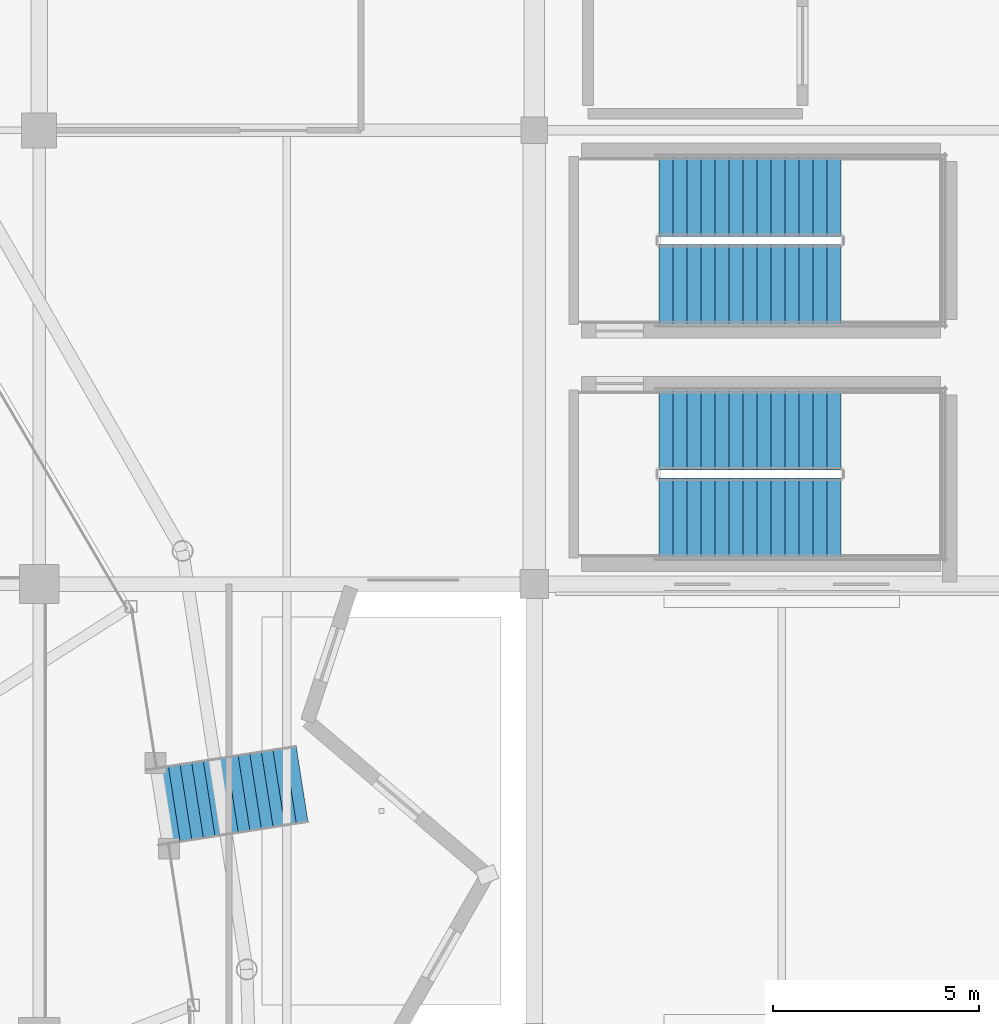
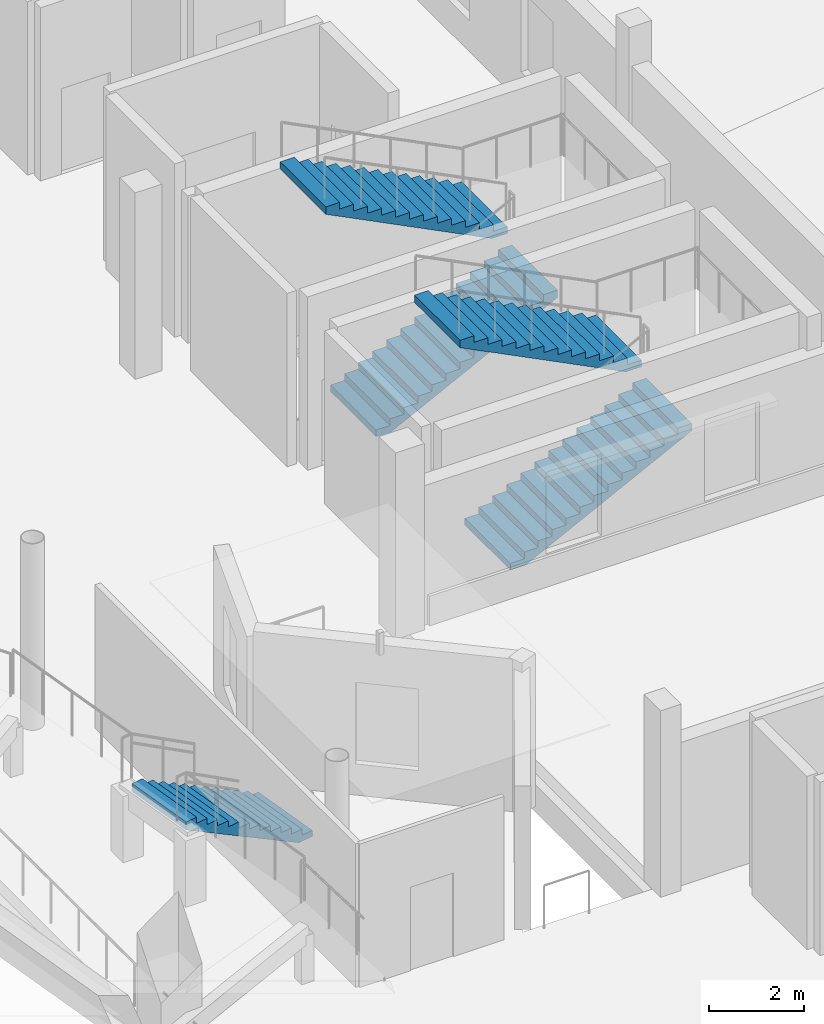
# One storey, part 61 of 77: 5 stair flights, 3 elements without a shape of their own.
"""IFC4 building model written with IfcOpenShell, lengths in metres."""

from ifc_helpers import new_model, si_unit, direction, frame, origin, place, context, subcontext, project, spatial, polyline, outline, extrude, material, layer, layer_set, type_object, element, aggregate, save


model = new_model("IFC4")

# Units and contexts
model_context = context("Model", 3, precision=1e-05, world=origin(), true_north=direction((0.0, 1.0)))
body_context = subcontext(model_context, "Body", "Model", "MODEL_VIEW")
ifc_project = project(units=[si_unit("LENGTHUNIT", "METRE"), si_unit("AREAUNIT", "SQUARE_METRE"), si_unit("VOLUMEUNIT", "CUBIC_METRE"), si_unit("PLANEANGLEUNIT", "RADIAN"), si_unit("MASSUNIT", "GRAM", prefix="KILO")], contexts=[model_context])

# Site, building, storey
site_placement = place(None, origin())
site = spatial("IfcSite", under=ifc_project, at=site_placement, CompositionType="ELEMENT")
building_placement = place(site_placement, origin())
building = spatial("IfcBuilding", under=site, at=building_placement, Name="Luwafu Chhajja Arena", CompositionType="ELEMENT")
storey_placement = place(building_placement, frame((0.0, 0.0, 14.699951171875)))
storey = spatial("IfcBuildingStorey", under=building, at=storey_placement, Name="L03", CompositionType="ELEMENT", Elevation=14.699951171875)

# Stair, stair flight
ifc_material_1 = material(Name="Precast concrete C40/50", Category="concrete")
stair_type_1 = type_object("IfcStairType", Name="Bowl Upper Vomitory Straight Stair 1820", PredefinedType="STRAIGHT_RUN_STAIR", material=ifc_material_1)
stair_1_placement = place(storey_placement, origin())
stair_1 = element("IfcStair", 1, at=stair_1_placement, inside=storey, type_object=stair_type_1, Name="L03 Bowl Vomitory Stair VM-09", PredefinedType="STRAIGHT_RUN_STAIR")
ifc_layer_1 = layer(ifc_material_1, 0.179931640625, Name="Precast concrete C40/50")
ifc_layer_set_1 = layer_set([ifc_layer_1], Name="Precast concrete C40/50")
stair_flight_type_1 = type_object("IfcStairFlightType", Name="Precast Vomitory Stair Flight 1820", PredefinedType="STRAIGHT", material=ifc_layer_set_1)
stair_flight_1_placement = place(storey_placement, frame((146.372314453125, 72.157470703125, 0.0), z_axis=(0.0, 0.0, 1.0), x_axis=(-0.987972013648, -0.154632791636, 0.0)))
stair_flight_1 = element("IfcStairFlight", 2, at=stair_flight_1_placement, type_object=stair_flight_type_1, Name="L03 Vomitory VM-09 StairFlight", NumberOfRisers=13, NumberOfTreads=12, PredefinedType="STRAIGHT", RiserHeight=0.156153846, TreadLength=0.285, context=body_context, shape_type="SweptSolid", body=[
    extrude(outline(polyline([(0.0, 0.0), (0.0, 0.15625), (0.284912109375, 0.15625), (0.284912109375, 0.312255859375), (0.570068359375, 0.312255859375), (0.570068359375, 0.468505859375), (0.85498046875, 0.468505859375), (0.85498046875, 0.62451171875), (1.139892578125, 0.62451171875), (1.139892578125, 0.78076171875), (1.425048828125, 0.78076171875), (1.425048828125, 0.93701171875), (1.7099609375, 0.93701171875), (1.7099609375, 1.093017578125), (1.9951171875, 1.093017578125), (1.9951171875, 1.249267578125), (2.280029296875, 1.249267578125), (2.280029296875, 1.4052734375), (2.56494140625, 1.4052734375), (2.56494140625, 1.5615234375), (2.85009765625, 1.5615234375), (2.85009765625, 1.7177734375), (3.135009765625, 1.7177734375), (3.135009765625, 1.873779296875), (3.419921875, 1.873779296875), (3.419921875, 2.030029296875), (3.419921875, 1.668701171875), (0.37451171875, 0.0), (0.0, 0.0)])), frame((0.0, 0.91015625, 0.0), z_axis=(0.0, -1.0, 0.0), x_axis=(1.0, 0.0, 0.0)), (0.0, 0.0, 1.0), 1.820068359375),
])
aggregate(stair_1, [stair_flight_1])

# Stair, stair flights
ifc_material_2 = material(Name="Concrete C35/45", Category="concrete")
stair_type_2 = type_object("IfcStairType", Name="Quadrant Protected Dog-Leg Stair 1920", PredefinedType="HALF_TURN_STAIR", material=ifc_material_2)
stair_2_placement = place(storey_placement, origin())
stair_2 = element("IfcStair", 3, at=stair_2_placement, inside=storey, type_object=stair_type_2, Name="L03 Protected Escape Stair ST-07", PredefinedType="HALF_TURN_STAIR")
ifc_layer_2 = layer(ifc_material_2, 0.169921875, Name="Concrete C35/45")
ifc_layer_set_2 = layer_set([ifc_layer_2], Name="Concrete C35/45")
stair_flight_type_2 = type_object("IfcStairFlightType", Name="RC Escape Stair Flight 1920", PredefinedType="STRAIGHT", material=ifc_layer_set_2)
stair_flight_2_placement = place(storey_placement, frame((155.02001953125, 78.610107421875, 0.0), z_axis=(0.0, 0.0, 1.0), x_axis=(1.0, 0.0, 0.0)))
stair_flight_2 = element("IfcStairFlight", 4, at=stair_flight_2_placement, type_object=stair_flight_type_2, Name="ST-07 flight 1", NumberOfRisers=14, NumberOfTreads=13, PredefinedType="STRAIGHT", RiserHeight=0.171428571, TreadLength=0.34, context=body_context, shape_type="SweptSolid", body=[
    extrude(outline(polyline([(0.0, 0.0), (0.0, 0.17138671875), (0.340087890625, 0.17138671875), (0.340087890625, 0.3427734375), (0.679931640625, 0.3427734375), (0.679931640625, 0.514404296875), (1.02001953125, 0.514404296875), (1.02001953125, 0.685791015625), (1.360107421875, 0.685791015625), (1.360107421875, 0.857177734375), (1.699951171875, 0.857177734375), (1.699951171875, 1.028564453125), (2.0400390625, 1.028564453125), (2.0400390625, 1.199951171875), (2.3798828125, 1.199951171875), (2.3798828125, 1.371337890625), (2.719970703125, 1.371337890625), (2.719970703125, 1.54296875), (3.06005859375, 1.54296875), (3.06005859375, 1.71435546875), (3.39990234375, 1.71435546875), (3.39990234375, 1.8857421875), (3.739990234375, 1.8857421875), (3.739990234375, 2.05712890625), (4.080078125, 2.05712890625), (4.080078125, 2.228515625), (4.419921875, 2.228515625), (4.419921875, 2.39990234375), (4.419921875, 2.038330078125), (0.37744140625, 0.0), (0.0, 0.0)])), frame((0.0, 0.9599609375, 0.0), z_axis=(0.0, -1.0, 0.0), x_axis=(1.0, 0.0, 0.0)), (0.0, 0.0, 1.0), 1.919921875),
])
stair_flight_3_placement = place(storey_placement, frame((159.43994140625, 80.72998046875, 2.400146484375), z_axis=(0.0, 0.0, 1.0), x_axis=(-1.0, 0.0, 0.0)))
stair_flight_3 = element("IfcStairFlight", 5, at=stair_flight_3_placement, type_object=stair_flight_type_2, Name="ST-07 flight 2", NumberOfRisers=14, NumberOfTreads=13, PredefinedType="STRAIGHT", RiserHeight=0.171428571, TreadLength=0.34, context=body_context, shape_type="SweptSolid", body=[
    extrude(outline(polyline([(0.0, 0.0), (0.0, 0.17138671875), (0.340087890625, 0.17138671875), (0.340087890625, 0.3427734375), (0.679931640625, 0.3427734375), (0.679931640625, 0.514404296875), (1.02001953125, 0.514404296875), (1.02001953125, 0.685791015625), (1.360107421875, 0.685791015625), (1.360107421875, 0.857177734375), (1.699951171875, 0.857177734375), (1.699951171875, 1.028564453125), (2.0400390625, 1.028564453125), (2.0400390625, 1.199951171875), (2.3798828125, 1.199951171875), (2.3798828125, 1.371337890625), (2.719970703125, 1.371337890625), (2.719970703125, 1.54296875), (3.06005859375, 1.54296875), (3.06005859375, 1.71435546875), (3.39990234375, 1.71435546875), (3.39990234375, 1.8857421875), (3.739990234375, 1.8857421875), (3.739990234375, 2.05712890625), (4.080078125, 2.05712890625), (4.080078125, 2.228515625), (4.419921875, 2.228515625), (4.419921875, 2.39990234375), (4.419921875, 2.038330078125), (0.37744140625, 0.0), (0.0, 0.0)])), frame((0.0, 0.9599609375, 0.0), z_axis=(0.0, -1.0, 0.0), x_axis=(1.0, 0.0, 0.0)), (0.0, 0.0, 1.0), 1.919921875),
])
aggregate(stair_2, [stair_flight_2, stair_flight_3])

stair_3_placement = place(storey_placement, origin())
stair_3 = element("IfcStair", 6, at=stair_3_placement, inside=storey, type_object=stair_type_2, Name="L03 Protected Escape Stair ST-08", PredefinedType="HALF_TURN_STAIR")
stair_flight_4_placement = place(storey_placement, frame((155.02001953125, 84.27001953125, 0.0), z_axis=(0.0, 0.0, 1.0), x_axis=(1.0, 0.0, 0.0)))
stair_flight_4 = element("IfcStairFlight", 7, at=stair_flight_4_placement, type_object=stair_flight_type_2, Name="ST-08 flight 1", NumberOfRisers=14, NumberOfTreads=13, PredefinedType="STRAIGHT", RiserHeight=0.171428571, TreadLength=0.34, context=body_context, shape_type="SweptSolid", body=[
    extrude(outline(polyline([(0.0, 0.0), (0.0, 0.17138671875), (0.340087890625, 0.17138671875), (0.340087890625, 0.3427734375), (0.679931640625, 0.3427734375), (0.679931640625, 0.514404296875), (1.02001953125, 0.514404296875), (1.02001953125, 0.685791015625), (1.360107421875, 0.685791015625), (1.360107421875, 0.857177734375), (1.699951171875, 0.857177734375), (1.699951171875, 1.028564453125), (2.0400390625, 1.028564453125), (2.0400390625, 1.199951171875), (2.3798828125, 1.199951171875), (2.3798828125, 1.371337890625), (2.719970703125, 1.371337890625), (2.719970703125, 1.54296875), (3.06005859375, 1.54296875), (3.06005859375, 1.71435546875), (3.39990234375, 1.71435546875), (3.39990234375, 1.8857421875), (3.739990234375, 1.8857421875), (3.739990234375, 2.05712890625), (4.080078125, 2.05712890625), (4.080078125, 2.228515625), (4.419921875, 2.228515625), (4.419921875, 2.39990234375), (4.419921875, 2.038330078125), (0.37744140625, 0.0), (0.0, 0.0)])), frame((0.0, 0.9599609375, 0.0), z_axis=(0.0, -1.0, 0.0), x_axis=(1.0, 0.0, 0.0)), (0.0, 0.0, 1.0), 1.919921875),
])
stair_flight_5_placement = place(storey_placement, frame((159.43994140625, 86.389892578125, 2.400146484375), z_axis=(0.0, 0.0, 1.0), x_axis=(-1.0, 0.0, 0.0)))
stair_flight_5 = element("IfcStairFlight", 8, at=stair_flight_5_placement, type_object=stair_flight_type_2, Name="ST-08 flight 2", NumberOfRisers=14, NumberOfTreads=13, PredefinedType="STRAIGHT", RiserHeight=0.171428571, TreadLength=0.34, context=body_context, shape_type="SweptSolid", body=[
    extrude(outline(polyline([(0.0, 0.0), (0.0, 0.17138671875), (0.340087890625, 0.17138671875), (0.340087890625, 0.3427734375), (0.679931640625, 0.3427734375), (0.679931640625, 0.514404296875), (1.02001953125, 0.514404296875), (1.02001953125, 0.685791015625), (1.360107421875, 0.685791015625), (1.360107421875, 0.857177734375), (1.699951171875, 0.857177734375), (1.699951171875, 1.028564453125), (2.0400390625, 1.028564453125), (2.0400390625, 1.199951171875), (2.3798828125, 1.199951171875), (2.3798828125, 1.371337890625), (2.719970703125, 1.371337890625), (2.719970703125, 1.54296875), (3.06005859375, 1.54296875), (3.06005859375, 1.71435546875), (3.39990234375, 1.71435546875), (3.39990234375, 1.8857421875), (3.739990234375, 1.8857421875), (3.739990234375, 2.05712890625), (4.080078125, 2.05712890625), (4.080078125, 2.228515625), (4.419921875, 2.228515625), (4.419921875, 2.39990234375), (4.419921875, 2.038330078125), (0.37744140625, 0.0), (0.0, 0.0)])), frame((0.0, 0.9599609375, 0.0), z_axis=(0.0, -1.0, 0.0), x_axis=(1.0, 0.0, 0.0)), (0.0, 0.0, 1.0), 1.919921875),
])
aggregate(stair_3, [stair_flight_4, stair_flight_5])

save(model, "model.ifc")
